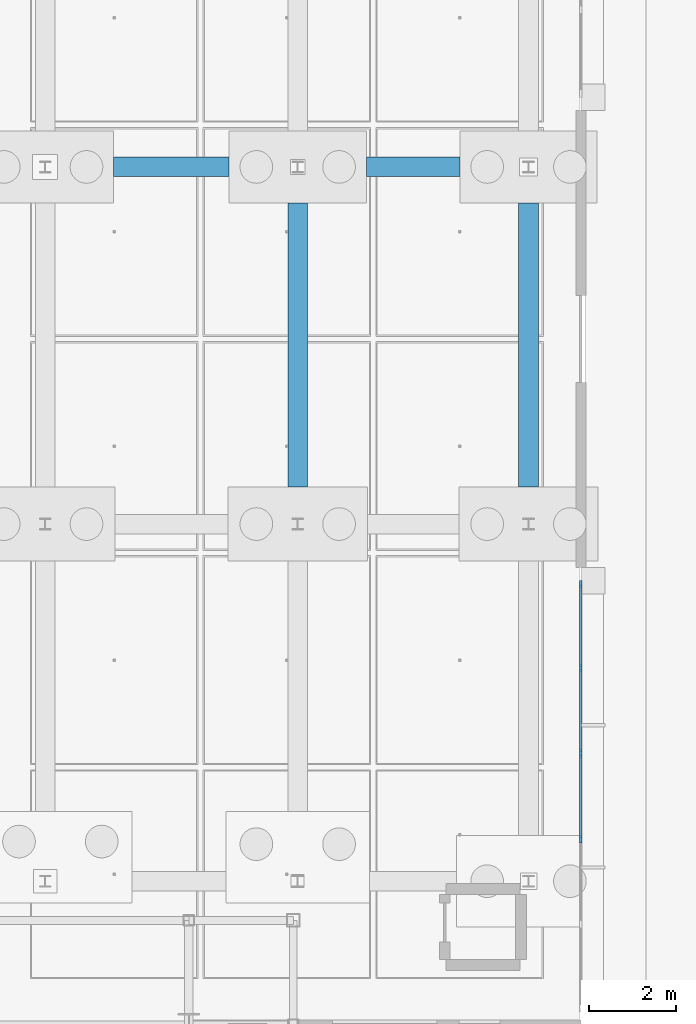
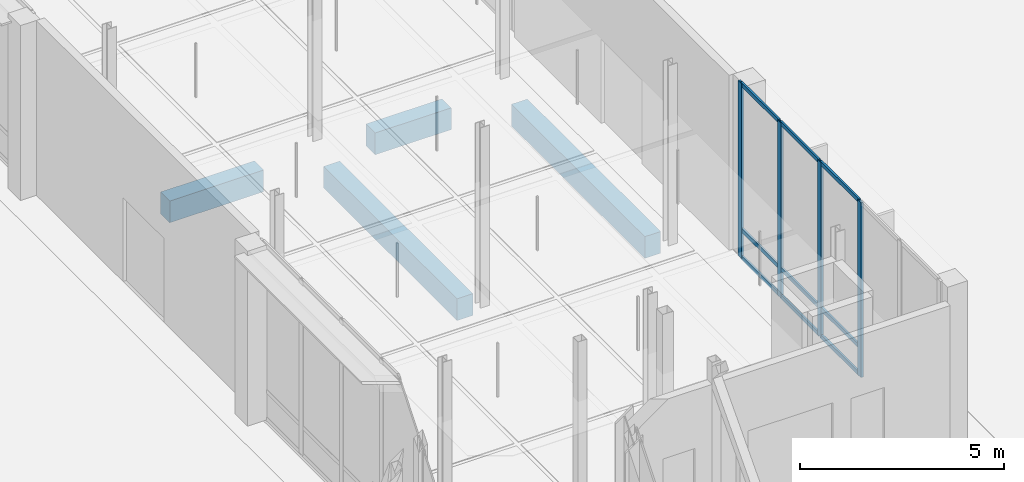
# One storey, part 48 of 180: 13 members, 4 beams, 1 element without a shape of its own.
"""IFC4 building model written with IfcOpenShell, lengths in metres."""

from ifc_helpers import new_model, si_unit, direction, frame, origin, origin_2d, place, context, subcontext, project, spatial, rectangle, extrude, material, material_profile, profile_set, type_object, element, aggregate, save


model = new_model("IFC4")

# Units and contexts
model_context = context("Model", 3, precision=1e-05, world=origin(), true_north=direction((0.0, 1.0)))
body_context = subcontext(model_context, "Body", "Model", "MODEL_VIEW")
ifc_project = project(units=[si_unit("LENGTHUNIT", "METRE"), si_unit("AREAUNIT", "SQUARE_METRE"), si_unit("VOLUMEUNIT", "CUBIC_METRE"), si_unit("PLANEANGLEUNIT", "RADIAN"), si_unit("MASSUNIT", "GRAM", prefix="KILO"), si_unit("THERMODYNAMICTEMPERATUREUNIT", "KELVIN"), si_unit("POWERUNIT", "WATT")], contexts=[model_context])

# Site, building, storey
site_placement = place(None, origin())
site = spatial("IfcSite", under=ifc_project, at=site_placement, CompositionType="ELEMENT")
building_placement = place(site_placement, origin())
building = spatial("IfcBuilding", under=site, at=building_placement, Name="Tallowbark Science Centre", CompositionType="ELEMENT")
storey_placement = place(building_placement, origin())
storey = spatial("IfcBuildingStorey", under=building, at=storey_placement, Name="L00", CompositionType="ELEMENT", Elevation=0.0)

# Beams
ifc_material_1 = material(Name="Concrete Grade N40 (40 MPa)", Category="concrete")
ifc_material_profile_1 = material_profile(ifc_material_1, rectangle(XDim=0.449951171875, YDim=0.64990234375, at=origin_2d()), Name="RC450x650")
ifc_profile_set_1 = profile_set([ifc_material_profile_1], Name="Concrete Grade N40 (40 MPa)")
beam_type = type_object("IfcBeamType", Name="BM-GB2-N40", PredefinedType="BEAM", material=ifc_profile_set_1)
beam_1_placement = place(storey_placement, frame((101.77490234375, 60.199951171875, -0.5849609375), z_axis=(1.0, 0.0, 0.0), x_axis=(0.0, 1.0, 0.0)))
element("IfcBeam", 1, at=beam_1_placement, inside=storey, type_object=beam_type, Name="Ground Tie Beam GBT-X-296", PredefinedType="BEAM", context=body_context, shape_type="SweptSolid", body=[
    extrude(rectangle(XDim=0.449951171875, YDim=0.64990234375, at=origin_2d()), origin(), (0.0, 0.0, 1.0), 2.650146484375),
])
beam_2_placement = place(storey_placement, frame((107.574951171875, 60.199951171875, -0.5849609375), z_axis=(1.0, 0.0, 0.0), x_axis=(0.0, 1.0, 0.0)))
element("IfcBeam", 2, at=beam_2_placement, inside=storey, type_object=beam_type, Name="Ground Tie Beam GBT-X-297", PredefinedType="BEAM", context=body_context, shape_type="SweptSolid", body=[
    extrude(rectangle(XDim=0.449951171875, YDim=0.64990234375, at=origin_2d()), origin(), (0.0, 0.0, 1.0), 2.150146484375),
])
for number, where, z_axis, x_axis, name in (
    (3, (106.0, 52.85009765625, -0.5849609375), (0.0, 1.0, 0.0), (-1.0, 0.0, 0.0), "Ground Tie Beam GBT-Y-351"),
    (4, (111.300048828125, 52.85009765625, -0.5849609375), (0.0, 1.0, 0.0), (-1.0, 0.0, 0.0), "Ground Tie Beam GBT-Y-354"),
):
    element("IfcBeam", number, at=place(storey_placement, frame(where, z_axis=z_axis, x_axis=x_axis)), inside=storey, type_object=beam_type, Name=name, PredefinedType="BEAM", context=body_context, shape_type="SweptSolid", body=[
        extrude(rectangle(XDim=0.449951171875, YDim=0.64990234375, at=origin_2d()), origin(), (0.0, 0.0, 1.0), 6.52490234375),
    ])

# Curtain wall, members
ifc_material_2 = material(Name="Unitised Thermally Broken Aluminium and Low-E Double Glazing", Category="aluminium")
curtain_wall_type = type_object("IfcCurtainWallType", Name="CW-SYS-FACADE", PredefinedType="NOTDEFINED", material=ifc_material_2)
curtain_wall_placement = place(storey_placement, origin())
curtain_wall = element("IfcCurtainWall", 5, at=curtain_wall_placement, inside=storey, type_object=curtain_wall_type, Name="Unitised Curtain Wall LNK-E-0 CW-L00-007", PredefinedType="NOTDEFINED")
ifc_material_3 = material(Name="Anodised Architectural Aluminium Alloy 6063-T6", Category="aluminium")
ifc_material_profile_2 = material_profile(ifc_material_3, rectangle(XDim=0.06494140625, YDim=0.179931640625, at=origin_2d()), Name="ALU65x180")
ifc_profile_set_2 = profile_set([ifc_material_profile_2], Name="Anodised Architectural Aluminium Alloy 6063-T6")
member_type_1 = type_object("IfcMemberType", Name="CWM-MUL-220", PredefinedType="MULLION", material=ifc_profile_set_2)
member_1_placement = place(storey_placement, frame((112.5, 44.77001953125, 0.0), z_axis=(0.0, 0.0, 1.0), x_axis=(-1.0, 0.0, 0.0)))
member_1 = element("IfcMember", 6, at=member_1_placement, type_object=member_type_1, Name="CW-01 mullion 3", PredefinedType="MULLION", context=body_context, shape_type="SweptSolid", body=[
    extrude(rectangle(XDim=0.06494140625, YDim=0.179931640625, at=origin_2d()), origin(), (0.0, 0.0, 1.0), 5.219970703125),
])
member_2_placement = place(storey_placement, frame((112.5, 46.72998046875, 0.0), z_axis=(0.0, 0.0, 1.0), x_axis=(-1.0, 0.0, 0.0)))
member_2 = element("IfcMember", 7, at=member_2_placement, type_object=member_type_1, Name="CW-01 mullion 4", PredefinedType="MULLION", context=body_context, shape_type="SweptSolid", body=[
    extrude(rectangle(XDim=0.06494140625, YDim=0.179931640625, at=origin_2d()), origin(), (0.0, 0.0, 1.0), 5.219970703125),
])
member_3_placement = place(storey_placement, frame((112.5, 48.68994140625, 0.0), z_axis=(0.0, 0.0, 1.0), x_axis=(-1.0, 0.0, 0.0)))
member_3 = element("IfcMember", 8, at=member_3_placement, type_object=member_type_1, Name="CW-01 mullion 5", PredefinedType="MULLION", context=body_context, shape_type="SweptSolid", body=[
    extrude(rectangle(XDim=0.06494140625, YDim=0.179931640625, at=origin_2d()), origin(), (0.0, 0.0, 1.0), 5.219970703125),
])
member_4_placement = place(storey_placement, frame((112.5, 50.617431640625, 0.0), z_axis=(0.0, 0.0, 1.0), x_axis=(-1.0, 0.0, 0.0)))
member_4 = element("IfcMember", 9, at=member_4_placement, type_object=member_type_1, Name="CW-01 mullion 6", PredefinedType="MULLION", context=body_context, shape_type="SweptSolid", body=[
    extrude(rectangle(XDim=0.06494140625, YDim=0.179931640625, at=origin_2d()), origin(), (0.0, 0.0, 1.0), 5.219970703125),
])
ifc_material_profile_3 = material_profile(ifc_material_3, rectangle(XDim=0.054931640625, YDim=0.1201171875, at=origin_2d()), Name="ALU55x120")
ifc_profile_set_3 = profile_set([ifc_material_profile_3], Name="Anodised Architectural Aluminium Alloy 6063-T6")
member_type_2 = type_object("IfcMemberType", Name="CWM-TRN-150", PredefinedType="USERDEFINED", material=ifc_profile_set_3)
member_5_placement = place(storey_placement, frame((112.5, 44.802490234375, 0.027587890625), z_axis=(0.0, 1.0, 0.0), x_axis=(-1.0, 0.0, 0.0)))
member_5 = element("IfcMember", 10, at=member_5_placement, type_object=member_type_2, Name="CW-01 transom 3.1", ObjectType="TRANSOM", PredefinedType="USERDEFINED", context=body_context, shape_type="SweptSolid", body=[
    extrude(rectangle(XDim=0.054931640625, YDim=0.1201171875, at=origin_2d()), origin(), (0.0, 0.0, 1.0), 1.89501953125),
])
member_6_placement = place(storey_placement, frame((112.5, 44.802490234375, 0.85009765625), z_axis=(0.0, 1.0, 0.0), x_axis=(-1.0, 0.0, 0.0)))
member_6 = element("IfcMember", 11, at=member_6_placement, type_object=member_type_2, Name="CW-01 transom 3.2", ObjectType="TRANSOM", PredefinedType="USERDEFINED", context=body_context, shape_type="SweptSolid", body=[
    extrude(rectangle(XDim=0.054931640625, YDim=0.1201171875, at=origin_2d()), origin(), (0.0, 0.0, 1.0), 1.89501953125),
])
member_7_placement = place(storey_placement, frame((112.5, 44.802490234375, 5.1923828125), z_axis=(0.0, 1.0, 0.0), x_axis=(-1.0, 0.0, 0.0)))
member_7 = element("IfcMember", 12, at=member_7_placement, type_object=member_type_2, Name="CW-01 transom 3.3", ObjectType="TRANSOM", PredefinedType="USERDEFINED", context=body_context, shape_type="SweptSolid", body=[
    extrude(rectangle(XDim=0.054931640625, YDim=0.1201171875, at=origin_2d()), origin(), (0.0, 0.0, 1.0), 1.89501953125),
])
member_8_placement = place(storey_placement, frame((112.5, 46.762451171875, 0.027587890625), z_axis=(0.0, 1.0, 0.0), x_axis=(-1.0, 0.0, 0.0)))
member_8 = element("IfcMember", 13, at=member_8_placement, type_object=member_type_2, Name="CW-01 transom 4.1", ObjectType="TRANSOM", PredefinedType="USERDEFINED", context=body_context, shape_type="SweptSolid", body=[
    extrude(rectangle(XDim=0.054931640625, YDim=0.1201171875, at=origin_2d()), origin(), (0.0, 0.0, 1.0), 1.89501953125),
])
member_9_placement = place(storey_placement, frame((112.5, 46.762451171875, 0.85009765625), z_axis=(0.0, 1.0, 0.0), x_axis=(-1.0, 0.0, 0.0)))
member_9 = element("IfcMember", 14, at=member_9_placement, type_object=member_type_2, Name="CW-01 transom 4.2", ObjectType="TRANSOM", PredefinedType="USERDEFINED", context=body_context, shape_type="SweptSolid", body=[
    extrude(rectangle(XDim=0.054931640625, YDim=0.1201171875, at=origin_2d()), origin(), (0.0, 0.0, 1.0), 1.89501953125),
])
member_10_placement = place(storey_placement, frame((112.5, 46.762451171875, 5.1923828125), z_axis=(0.0, 1.0, 0.0), x_axis=(-1.0, 0.0, 0.0)))
member_10 = element("IfcMember", 15, at=member_10_placement, type_object=member_type_2, Name="CW-01 transom 4.3", ObjectType="TRANSOM", PredefinedType="USERDEFINED", context=body_context, shape_type="SweptSolid", body=[
    extrude(rectangle(XDim=0.054931640625, YDim=0.1201171875, at=origin_2d()), origin(), (0.0, 0.0, 1.0), 1.89501953125),
])
member_11_placement = place(storey_placement, frame((112.5, 48.722412109375, 0.027587890625), z_axis=(0.0, 1.0, 0.0), x_axis=(-1.0, 0.0, 0.0)))
member_11 = element("IfcMember", 16, at=member_11_placement, type_object=member_type_2, Name="CW-01 transom 5.1", ObjectType="TRANSOM", PredefinedType="USERDEFINED", context=body_context, shape_type="SweptSolid", body=[
    extrude(rectangle(XDim=0.054931640625, YDim=0.1201171875, at=origin_2d()), origin(), (0.0, 0.0, 1.0), 1.862548828125),
])
member_12_placement = place(storey_placement, frame((112.5, 48.722412109375, 0.85009765625), z_axis=(0.0, 1.0, 0.0), x_axis=(-1.0, 0.0, 0.0)))
member_12 = element("IfcMember", 17, at=member_12_placement, type_object=member_type_2, Name="CW-01 transom 5.2", ObjectType="TRANSOM", PredefinedType="USERDEFINED", context=body_context, shape_type="SweptSolid", body=[
    extrude(rectangle(XDim=0.054931640625, YDim=0.1201171875, at=origin_2d()), origin(), (0.0, 0.0, 1.0), 1.862548828125),
])
member_13_placement = place(storey_placement, frame((112.5, 48.722412109375, 5.1923828125), z_axis=(0.0, 1.0, 0.0), x_axis=(-1.0, 0.0, 0.0)))
member_13 = element("IfcMember", 18, at=member_13_placement, type_object=member_type_2, Name="CW-01 transom 5.3", ObjectType="TRANSOM", PredefinedType="USERDEFINED", context=body_context, shape_type="SweptSolid", body=[
    extrude(rectangle(XDim=0.054931640625, YDim=0.1201171875, at=origin_2d()), origin(), (0.0, 0.0, 1.0), 1.862548828125),
])
aggregate(curtain_wall, [member_1, member_2, member_3, member_4, member_5, member_6, member_7, member_8, member_9, member_10, member_11, member_12, member_13])

save(model, "model.ifc")
